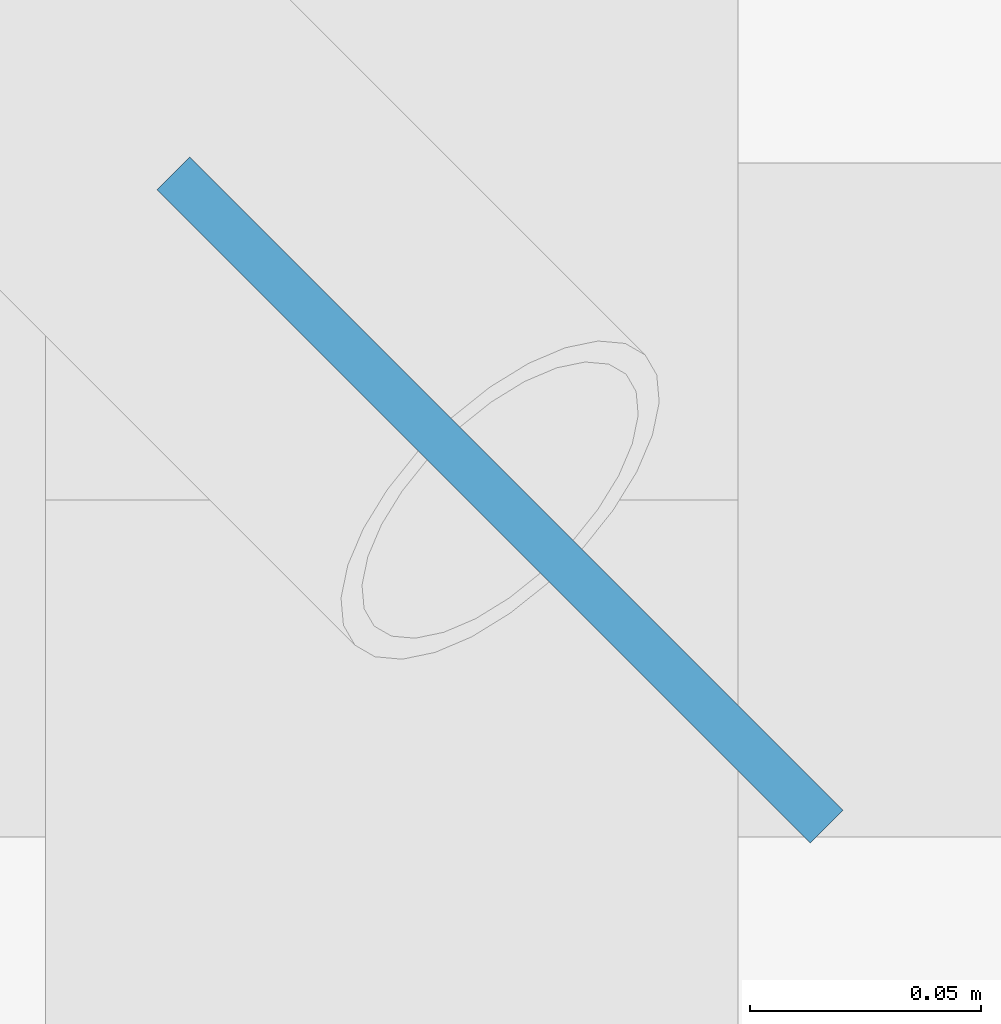
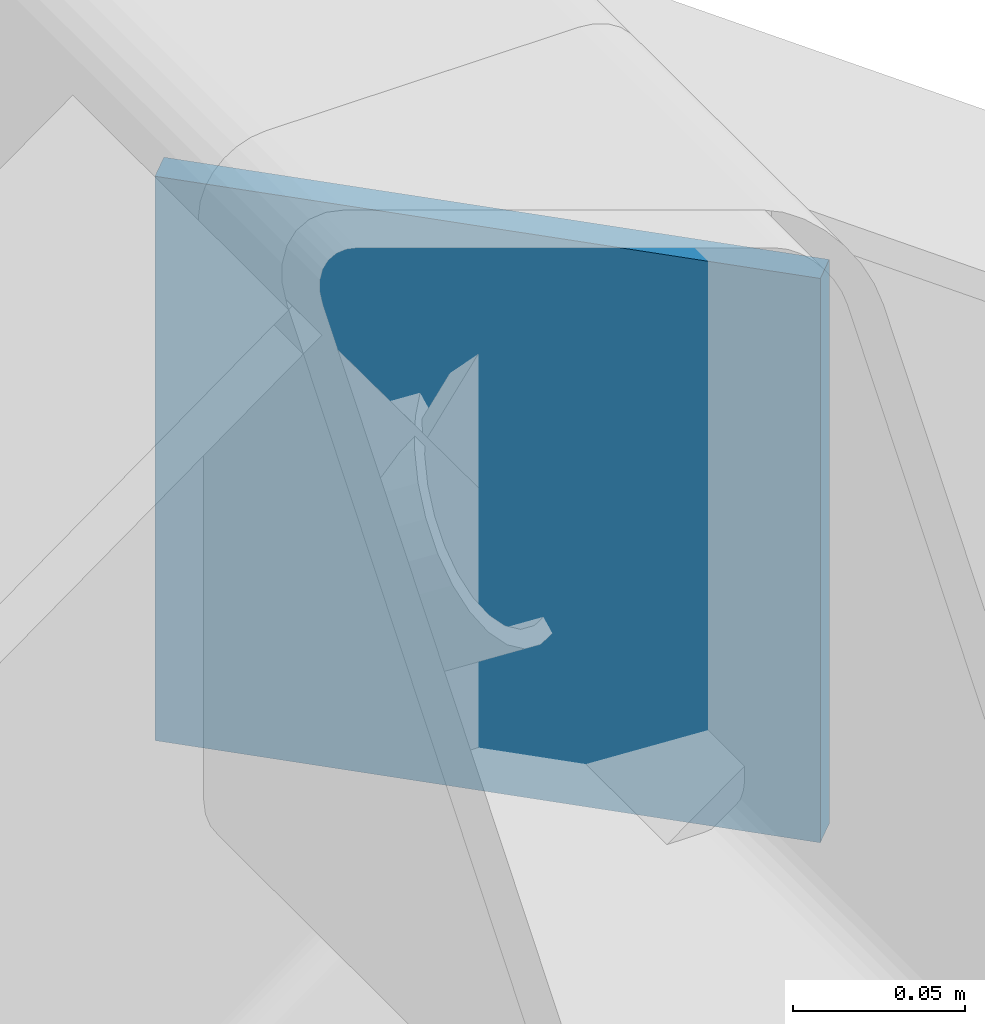
# One storey, part 57 of 74: 1 discrete accessory.
"""IFC4 building model written with IfcOpenShell, lengths in metres."""

from ifc_helpers import new_model, si_unit, direction, frame, origin, origin_2d, place, context, subcontext, project, spatial, rectangle, extrude, material, type_object, element, save


model = new_model("IFC4")

# Units and contexts
model_context = context("Model", 3, precision=1e-05, world=origin(), true_north=direction((0.0, 1.0)))
body_context = subcontext(model_context, "Body", "Model", "MODEL_VIEW")
ifc_project = project(units=[si_unit("LENGTHUNIT", "METRE"), si_unit("AREAUNIT", "SQUARE_METRE"), si_unit("VOLUMEUNIT", "CUBIC_METRE"), si_unit("PLANEANGLEUNIT", "RADIAN"), si_unit("MASSUNIT", "GRAM", prefix="KILO")], contexts=[model_context])

# Site, building, storey
site_placement = place(None, origin())
site = spatial("IfcSite", under=ifc_project, at=site_placement, CompositionType="ELEMENT")
building_placement = place(site_placement, origin())
building = spatial("IfcBuilding", under=site, at=building_placement, Name="Hortulan Conservatory and Botanical Research Centre", CompositionType="ELEMENT")
storey_placement = place(building_placement, frame((0.0, 0.0, 6.0)))
storey = spatial("IfcBuildingStorey", under=building, at=storey_placement, Name="L01", CompositionType="ELEMENT", Elevation=6.0)

# Discrete accessory
ifc_material = material(Name="Steel Grade 300 plate (AS/NZS 3678, 280 MPa minimum yield)", Category="steel")
discrete_accessory_type = type_object("IfcDiscreteAccessoryType", Name="End Plate 200x10", PredefinedType="BRACKET", material=ifc_material)
discrete_accessory_placement = place(storey_placement, frame((99.0234375, 27.0, 2.21240234375), z_axis=(0.0, 0.0, 1.0), x_axis=(0.707106781187, -0.707106781187, 0.0)))
element("IfcDiscreteAccessory", 1, at=discrete_accessory_placement, inside=storey, type_object=discrete_accessory_type, Name="Brace end plate", PredefinedType="BRACKET", context=body_context, shape_type="SweptSolid", body=[
    extrude(rectangle(XDim=0.199951171875, YDim=0.010009765625, at=origin_2d()), origin(), (0.0, 0.0, 1.0), 0.199951171875),
])

save(model, "model.ifc")
